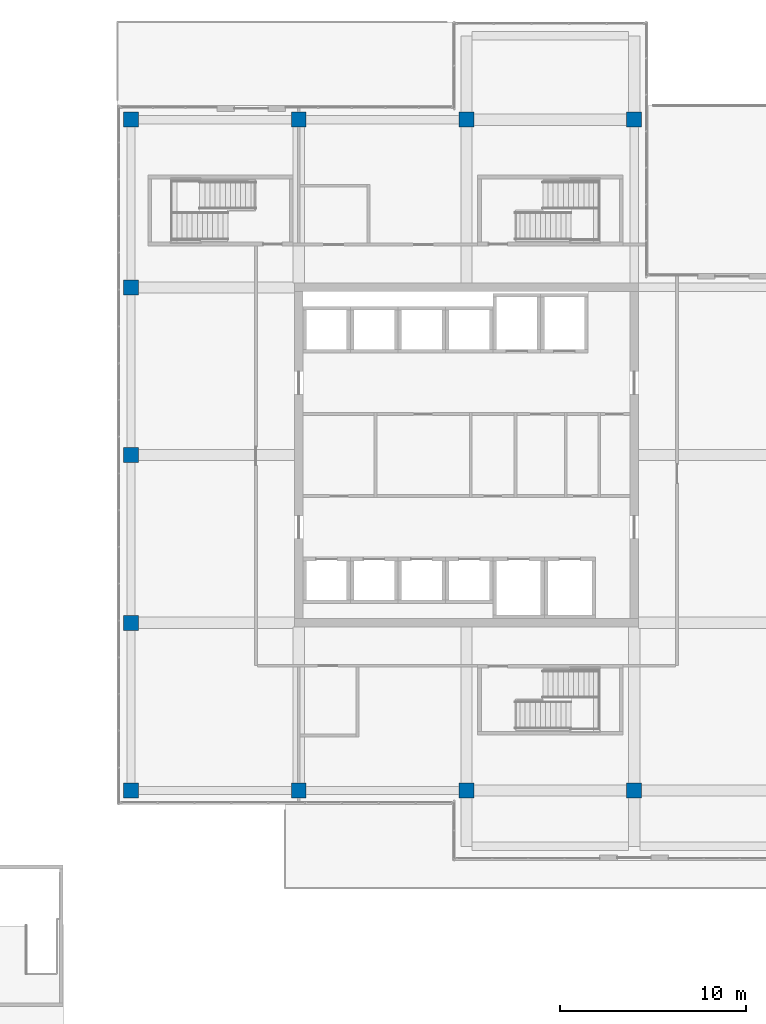
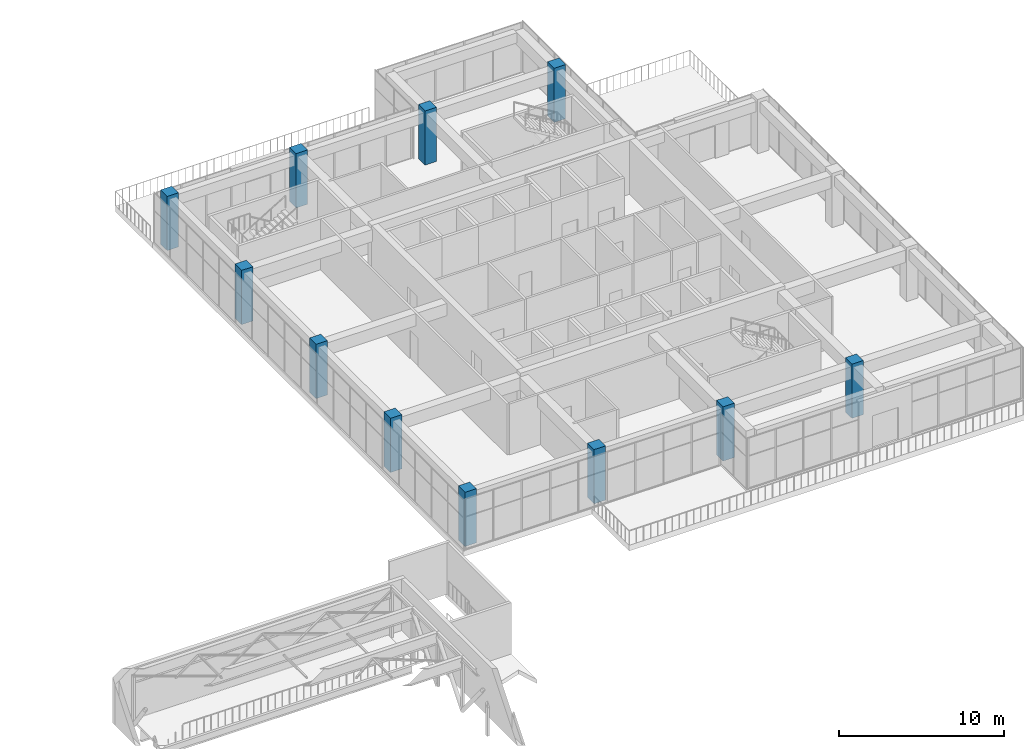
# One storey, part 2 of 81: 11 columns.
"""IFC4 building model written with IfcOpenShell, lengths in metres."""

import ifcopenshell
import ifcopenshell.guid

model = None  # the IFC model being written
_history = None  # IfcOwnerHistory: only IFC2X3 demands one
_inside = {}  # id of a spatial element -> (the spatial element, [elements in it])
_under = {}  # id of a project, library or spatial element -> (it, [spatial elements below it])
_declared = {}  # id of a project -> (the project, [libraries it declares])
_typed = {}  # id of a type object -> (the type object, [elements of that type])
_made_of = {}  # id of a material, layer set ... -> (it, [elements and type objects made of it])


def new_model(schema):
    """Start an empty IFC model of exactly this schema.

    Asked for "IFC4X3", IfcOpenShell would pick the latest addendum, in which some entities
    have other attributes; the version numbers below select the first issue.
    IFC2X3 requires an IfcOwnerHistory on every rooted entity: one is made here for all.
    """
    global model, _history
    if schema == "IFC4X3":
        model = ifcopenshell.file(schema_version=(4, 3, 0, 0))
    else:
        model = ifcopenshell.file(schema=schema)
    _inside.clear()
    _under.clear()
    _declared.clear()
    _typed.clear()
    _made_of.clear()
    _history = None
    if model.schema == "IFC2X3":
        org = make("IfcOrganization", Name="unknown")
        user = make(
            "IfcPersonAndOrganization",
            ThePerson=make("IfcPerson", FamilyName="unknown"),
            TheOrganization=org,
        )
        app = make(
            "IfcApplication",
            ApplicationDeveloper=org,
            Version="unknown",
            ApplicationFullName="unknown",
            ApplicationIdentifier="unknown",
        )
        _history = make(
            "IfcOwnerHistory",
            OwningUser=user,
            OwningApplication=app,
            ChangeAction="ADDED",
            CreationDate=0,
        )
    return model


def make(cls, **values):
    """One entity of the class cls with the attributes given. An attribute that is None is left unset."""
    return model.create_entity(
        cls, **{name: value for name, value in values.items() if value is not None}
    )


def rooted(cls, **values):
    """An entity with a GlobalId (a new one), such as an element, a storey or a relation."""
    return make(cls, GlobalId=ifcopenshell.guid.new(), OwnerHistory=_history, **values)


def si_unit(unit_type, name, prefix=None):
    """IfcSIUnit, for example si_unit("LENGTHUNIT", "METRE", prefix="MILLI")."""
    return make("IfcSIUnit", UnitType=unit_type, Prefix=prefix, Name=name)


def assignment(units):
    """IfcUnitAssignment: the units of a project."""
    return None if units is None else make("IfcUnitAssignment", Units=units)


def point(xyz):
    """IfcCartesianPoint."""
    return None if xyz is None else make("IfcCartesianPoint", Coordinates=xyz)


def direction(xyz):
    """IfcDirection."""
    return None if xyz is None else make("IfcDirection", DirectionRatios=xyz)


def frame(location, z_axis=None, x_axis=None):
    """IfcAxis2Placement3D, a coordinate frame: its origin and axes. An axis left out is left unset."""
    return make(
        "IfcAxis2Placement3D",
        Location=point(location),
        Axis=direction(z_axis),
        RefDirection=direction(x_axis),
    )


def frame_2d(location, x_axis=None):
    """IfcAxis2Placement2D, a coordinate frame in the plane: its origin and x axis."""
    return make(
        "IfcAxis2Placement2D", Location=point(location), RefDirection=direction(x_axis)
    )


def origin():
    """The frame at (0, 0, 0) with its axes left unset."""
    return frame((0.0, 0.0, 0.0))


def origin_2d():
    """The frame at (0, 0) in the plane with its x axis left unset."""
    return frame_2d((0.0, 0.0))


def place(relative_to, where):
    """IfcLocalPlacement: puts the frame where relative to a parent placement (None: the world)."""
    return make(
        "IfcLocalPlacement", PlacementRelTo=relative_to, RelativePlacement=where
    )


def context(
    kind, dimensions, precision=None, world=None, true_north=None, identifier=None
):
    """IfcGeometricRepresentationContext, for example the 3D "Model" context."""
    return make(
        "IfcGeometricRepresentationContext",
        ContextIdentifier=identifier,
        ContextType=kind,
        CoordinateSpaceDimension=dimensions,
        Precision=precision,
        WorldCoordinateSystem=world,
        TrueNorth=true_north,
    )


def subcontext(parent, identifier, kind, view, scale=None):
    """IfcGeometricRepresentationSubContext, for example "Body" below "Model"."""
    return make(
        "IfcGeometricRepresentationSubContext",
        ContextIdentifier=identifier,
        ContextType=kind,
        ParentContext=parent,
        TargetScale=scale,
        TargetView=view,
    )


def project(units=None, contexts=None):
    """IfcProject with its units and contexts."""
    return rooted(
        "IfcProject",
        Name="project",
        RepresentationContexts=contexts,
        UnitsInContext=assignment(units),
    )


def spatial(cls, under=None, at=None, **own):
    """A site, building, storey or space (cls), placed at a placement, below another one or the project."""
    s = rooted(cls, ObjectPlacement=at, **own)
    if under is not None:
        _under.setdefault(under.id(), (under, []))[1].append(s)
    return s


def profile(cls, at=None, kind="AREA", **sizes):
    """A parametric profile (cls). Its sizes go by their IFC names, for example OverallWidth=200.0."""
    return make(cls, ProfileType=kind, Position=at, **sizes)


def rectangle(**sizes):
    """IfcRectangleProfileDef."""
    return profile("IfcRectangleProfileDef", **sizes)


def extrude(swept, where, along, depth):
    """IfcExtrudedAreaSolid: the profile swept, set in the frame where, extruded along a direction by depth."""
    return make(
        "IfcExtrudedAreaSolid",
        SweptArea=swept,
        Position=where,
        ExtrudedDirection=direction(along),
        Depth=depth,
    )


def shape(context_of_items, identifier, shape_type, items):
    """IfcShapeRepresentation: the items that make up one representation, for example the "Body"."""
    return make(
        "IfcShapeRepresentation",
        ContextOfItems=context_of_items,
        RepresentationIdentifier=identifier,
        RepresentationType=shape_type,
        Items=items,
    )


def material(Name=None, Category=None):
    """IfcMaterial."""
    return make("IfcMaterial", Name=Name, Category=Category)


def material_profile(
    of_material, cross_section, Name=None, Category=None, Priority=None
):
    """IfcMaterialProfile: a cross section and its material."""
    return make(
        "IfcMaterialProfile",
        Name=Name,
        Material=of_material,
        Profile=cross_section,
        Priority=Priority,
        Category=Category,
    )


def profile_set(profiles, Name=None, composite=None):
    """IfcMaterialProfileSet."""
    return make(
        "IfcMaterialProfileSet",
        Name=Name,
        MaterialProfiles=profiles,
        CompositeProfile=composite,
    )


def made_of(thing, what):
    """Note that an element or type object is made of a material, layer set ...; save() writes the relation."""
    if what is not None:
        _made_of.setdefault(what.id(), (what, []))[1].append(thing)
    return thing


def type_object(cls, material=None, **own):
    """A type object (cls), such as IfcWallType, which elements share."""
    return made_of(rooted(cls, **own), material)


def element(
    cls,
    number,
    at=None,
    inside=None,
    cuts=None,
    type_object=None,
    material=None,
    context=None,
    identifier="Body",
    shape_type=None,
    held_by="IfcProductDefinitionShape",
    body=None,
    shapes=None,
    **own,
):
    """One element of the class cls, such as IfcWall. Its Tag is "e" and its number.

    at: its placement. inside: the storey or other place that contains it. cuts: it is an
    opening in that element (IfcRelVoidsElement). A single representation is given by context,
    identifier, shape_type and body (its items); several are given by shapes. held_by: the class
    of the entity that holds the representations. save() writes the other relations.
    """
    e = rooted(cls, Tag="e%d" % number, ObjectPlacement=at, **own)
    if body is not None:
        shapes = [shape(context, identifier, shape_type, body)]
    if shapes is not None:
        e.Representation = make(held_by, Representations=shapes)
    if inside is not None:
        _inside.setdefault(inside.id(), (inside, []))[1].append(e)
    if cuts is not None:
        rooted(
            "IfcRelVoidsElement", RelatingBuildingElement=cuts, RelatedOpeningElement=e
        )
    if type_object is not None:
        _typed.setdefault(type_object.id(), (type_object, []))[1].append(e)
    return made_of(e, material)


def aggregate(whole, parts):
    """IfcRelAggregates: a whole, such as a stair, and the parts it consists of."""
    return rooted("IfcRelAggregates", RelatingObject=whole, RelatedObjects=parts)


def save(model, path):
    """Write the relations noted so far, then the file.

    IfcRelAggregates (storeys below a building ...), IfcRelContainedInSpatialStructure (elements
    in a storey), IfcRelDefinesByType, IfcRelAssociatesMaterial and IfcRelDeclares: one each for
    every whole, place, type object, material and project.
    """
    for whole, parts in _under.values():
        aggregate(whole, parts)
    for where, things in _inside.values():
        rooted(
            "IfcRelContainedInSpatialStructure",
            RelatedElements=things,
            RelatingStructure=where,
        )
    for kind, things in _typed.values():
        rooted("IfcRelDefinesByType", RelatedObjects=things, RelatingType=kind)
    for what, things in _made_of.values():
        rooted("IfcRelAssociatesMaterial", RelatedObjects=things, RelatingMaterial=what)
    for by, libraries in _declared.values():
        rooted("IfcRelDeclares", RelatingContext=by, RelatedDefinitions=libraries)
    model.write(path)


model = new_model("IFC4")

# Units and contexts
model_context = context("Model", 3, precision=1e-05, world=origin(), true_north=direction((0.0, 1.0)))
body_context = subcontext(model_context, "Body", "Model", "MODEL_VIEW")
ifc_project = project(units=[si_unit("LENGTHUNIT", "METRE"), si_unit("AREAUNIT", "SQUARE_METRE"), si_unit("VOLUMEUNIT", "CUBIC_METRE"), si_unit("PLANEANGLEUNIT", "RADIAN"), si_unit("MASSUNIT", "GRAM", prefix="KILO")], contexts=[model_context])

# Site, building, storey
site_placement = place(None, origin())
site = spatial("IfcSite", under=ifc_project, at=site_placement, CompositionType="ELEMENT")
building_placement = place(site_placement, origin())
building = spatial("IfcBuilding", under=site, at=building_placement, Name="Tuart Plaza Theatre", CompositionType="ELEMENT")
storey_placement = place(building_placement, frame((0.0, 0.0, 17.5)))
storey = spatial("IfcBuildingStorey", under=building, at=storey_placement, Name="L04", CompositionType="ELEMENT", Elevation=17.5)

# Columns
ifc_material = material(Name="Concrete N50 (50 MPa)", Category="concrete")
ifc_material_profile = material_profile(ifc_material, rectangle(XDim=0.800048828125, YDim=0.800048828125, at=origin_2d()), Name="COLUMN 800x800 Concrete N50 (50 MPa)")
ifc_profile_set = profile_set([ifc_material_profile], Name="Concrete N50 (50 MPa)")
column_type = type_object("IfcColumnType", Name="COLUMN 800x800 Concrete N50 (50 MPa)", PredefinedType="COLUMN", material=ifc_profile_set)
for number, where, z_axis, x_axis, name in (
    (1, (114.0, 56.0, 0.0), (0.0, 0.0, 1.0), (1.0, 0.0, 0.0), "C50"),
    (2, (114.0, 65.0, 0.0), (0.0, 0.0, 1.0), (1.0, 0.0, 0.0), "C51"),
    (3, (114.0, 74.0, 0.0), (0.0, 0.0, 1.0), (1.0, 0.0, 0.0), "C52"),
    (4, (114.0, 83.0, 0.0), (0.0, 0.0, 1.0), (1.0, 0.0, 0.0), "C53"),
    (5, (114.0, 92.0, 0.0), (0.0, 0.0, 1.0), (1.0, 0.0, 0.0), "C54"),
    (6, (123.0, 56.0, 0.0), (0.0, 0.0, 1.0), (1.0, 0.0, 0.0), "C55"),
    (7, (123.0, 92.0, 0.0), (0.0, 0.0, 1.0), (1.0, 0.0, 0.0), "C56"),
    (8, (132.0, 56.0, 0.0), (0.0, 0.0, 1.0), (1.0, 0.0, 0.0), "C57"),
    (9, (132.0, 92.0, 0.0), (0.0, 0.0, 1.0), (1.0, 0.0, 0.0), "C58"),
    (10, (141.0, 56.0, 0.0), (0.0, 0.0, 1.0), (1.0, 0.0, 0.0), "C59"),
    (11, (141.0, 92.0, 0.0), (0.0, 0.0, 1.0), (1.0, 0.0, 0.0), "C60"),
):
    element("IfcColumn", number, at=place(storey_placement, frame(where, z_axis=z_axis, x_axis=x_axis)), inside=storey, type_object=column_type, Name=name, PredefinedType="COLUMN", context=body_context, shape_type="SweptSolid", body=[
        extrude(rectangle(XDim=0.800048828125, YDim=0.800048828125, at=origin_2d()), origin(), (0.0, 0.0, 1.0), 4.0),
    ])

save(model, "model.ifc")
